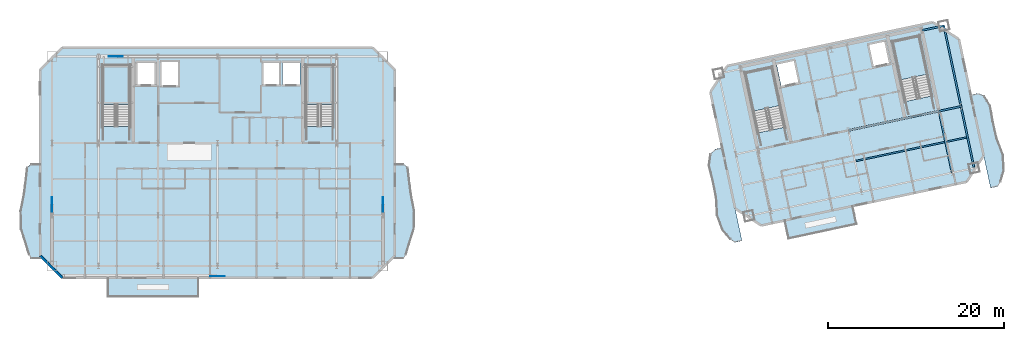
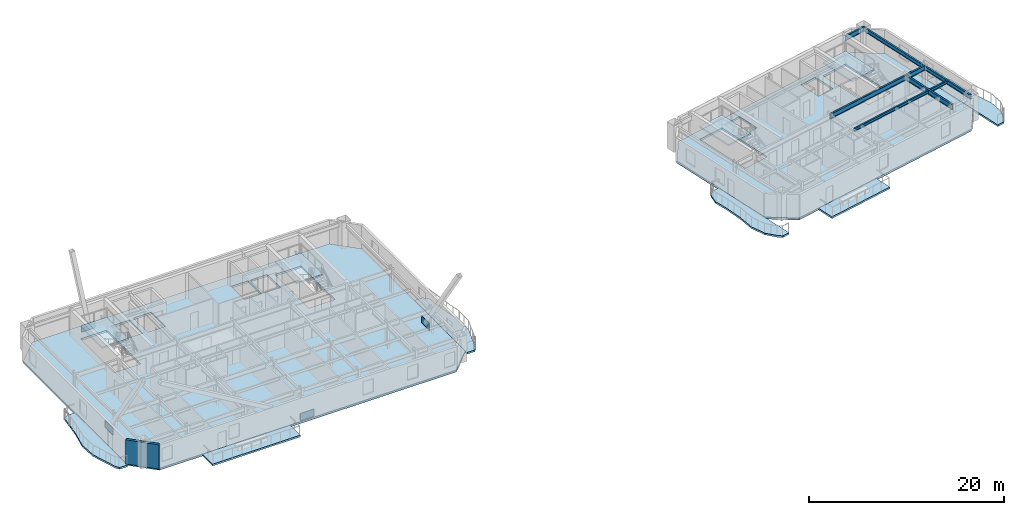
# One storey, part 4 of 14: 12 slabs, 8 beams, 4 plates, 1 wall, 4 elements without a shape of their own.
"""IFC4 building model written with IfcOpenShell, lengths in metres."""

from ifc_helpers import new_model, si_unit, direction, frame, frame_2d, origin, origin_2d, place, context, subcontext, project, spatial, polyline, rectangle, i_section, outline, extrude, material, layer, layer_set, material_profile, profile_set, type_object, element, aggregate, save


model = new_model("IFC4")

# Units and contexts
model_context = context("Model", 3, precision=1e-05, world=origin(), true_north=direction((0.0, 1.0)))
body_context = subcontext(model_context, "Body", "Model", "MODEL_VIEW")
ifc_project = project(units=[si_unit("LENGTHUNIT", "METRE"), si_unit("AREAUNIT", "SQUARE_METRE"), si_unit("VOLUMEUNIT", "CUBIC_METRE"), si_unit("PLANEANGLEUNIT", "RADIAN"), si_unit("MASSUNIT", "GRAM", prefix="KILO")], contexts=[model_context])

# Site, building, storey
site_placement = place(None, origin())
site = spatial("IfcSite", under=ifc_project, at=site_placement, CompositionType="ELEMENT")
building_placement = place(site_placement, origin())
building = spatial("IfcBuilding", under=site, at=building_placement, Name="Haevon Station Towers", CompositionType="ELEMENT")
storey_placement = place(building_placement, frame((0.0, 0.0, 228.60009765625)))
storey = spatial("IfcBuildingStorey", under=building, at=storey_placement, Name="L63", CompositionType="ELEMENT", Elevation=228.60009765625)

# Beams
ifc_material_1 = material(Name="Steel S355", Category="steel")
ifc_material_profile_1 = material_profile(ifc_material_1, i_section(OverallWidth=0.199951171875, OverallDepth=0.60009765625, WebThickness=0.010986328125, FlangeThickness=0.01708984375, at=origin_2d()), Name="H-600x200x11x17")
ifc_profile_set_1 = profile_set([ifc_material_profile_1], Name="Steel S355")
beam_type_1 = type_object("IfcBeamType", Name="BM-G600", PredefinedType="BEAM", material=ifc_profile_set_1)
beam_1_placement = place(storey_placement, frame((109.02294921875, 39.62548828125, 2.75), z_axis=(0.978146794194, 0.207915485254, 0.0), x_axis=(-0.207915485254, 0.978146794194, 0.0)))
element("IfcBeam", 1, at=beam_1_placement, inside=storey, type_object=beam_type_1, Name="BM-T2U-L63-02-03", PredefinedType="BEAM", context=body_context, shape_type="SweptSolid", body=[
    extrude(i_section(OverallWidth=0.199951171875, OverallDepth=0.60009765625, WebThickness=0.010986328125, FlangeThickness=0.01708984375, at=origin_2d()), origin(), (0.0, 0.0, 1.0), 10.5),
])
for number, where, z_axis, x_axis, name in (
    (2, (119.29345703125, 41.80859375, 2.75), (0.978161040728, 0.207848450565, 0.0), (-0.207848450565, 0.978161040728, 0.0), "BM-T2U-L63-02-04"),
    (3, (117.349365234375, 50.954345703125, 2.75), (0.978161040728, 0.207848450565, 0.0), (-0.207848450565, 0.978161040728, 0.0), "BM-T2U-L63-03-04"),
):
    element("IfcBeam", number, at=place(storey_placement, frame(where, z_axis=z_axis, x_axis=x_axis)), inside=storey, type_object=beam_type_1, Name=name, PredefinedType="BEAM", context=body_context, shape_type="SweptSolid", body=[
        extrude(i_section(OverallWidth=0.199951171875, OverallDepth=0.60009765625, WebThickness=0.010986328125, FlangeThickness=0.01708984375, at=origin_2d()), origin(), (0.0, 0.0, 1.0), 2.550048828125),
    ])
beam_2_placement = place(storey_placement, frame((120.77783203125, 34.824462890625, 2.75), z_axis=(-0.207891880081, 0.978151811426, 0.0), x_axis=(-0.978151811426, -0.207891880081, 0.0)))
element("IfcBeam", 4, at=beam_2_placement, inside=storey, type_object=beam_type_1, Name="BM-T2V-L63-04-01", PredefinedType="BEAM", context=body_context, shape_type="SweptSolid", body=[
    extrude(i_section(OverallWidth=0.199951171875, OverallDepth=0.60009765625, WebThickness=0.010986328125, FlangeThickness=0.01708984375, at=origin_2d()), origin(), (0.0, 0.0, 1.0), 7.14013671875),
])
ifc_material_profile_2 = material_profile(ifc_material_1, i_section(OverallWidth=0.175048828125, OverallDepth=0.35009765625, WebThickness=0.007080078125, FlangeThickness=0.010986328125, at=origin_2d()), Name="H-350x175x7x11")
ifc_profile_set_2 = profile_set([ifc_material_profile_2], Name="Steel S355")
beam_type_2 = type_object("IfcBeamType", Name="BM-J350", PredefinedType="JOIST", material=ifc_profile_set_2)
beam_3_placement = place(storey_placement, frame((109.872802734375, 36.15625, 2.875), z_axis=(0.97814448317, 0.207926357261, 0.0), x_axis=(-0.207926357261, 0.97814448317, 0.0)))
element("IfcBeam", 5, at=beam_3_placement, inside=storey, type_object=beam_type_2, Name="BM-T2J-L63-01-03", PredefinedType="JOIST", context=body_context, shape_type="SweptSolid", body=[
    extrude(i_section(OverallWidth=0.175048828125, OverallDepth=0.35009765625, WebThickness=0.007080078125, FlangeThickness=0.010986328125, at=origin_2d()), origin(), (0.0, 0.0, 1.0), 10.27978515625),
])
beam_4_placement = place(storey_placement, frame((120.143310546875, 38.33935546875, 2.875), z_axis=(0.978130880619, 0.207990337228, 0.0), x_axis=(-0.207990337228, 0.978130880619, 0.0)))
element("IfcBeam", 6, at=beam_4_placement, inside=storey, type_object=beam_type_2, Name="BM-T2J-L63-01-04", PredefinedType="JOIST", context=body_context, shape_type="SweptSolid", body=[
    extrude(i_section(OverallWidth=0.175048828125, OverallDepth=0.35009765625, WebThickness=0.007080078125, FlangeThickness=0.010986328125, at=origin_2d()), origin(), (0.0, 0.0, 1.0), 2.330078125),
])
ifc_material_profile_3 = material_profile(ifc_material_1, i_section(OverallWidth=0.199951171875, OverallDepth=0.5, WebThickness=0.010009765625, FlangeThickness=0.01611328125, at=origin_2d()), Name="H-500x200x10x16")
ifc_profile_set_3 = profile_set([ifc_material_profile_3], Name="Steel S355")
beam_type_3 = type_object("IfcBeamType", Name="BM-SP500", PredefinedType="SPANDREL", material=ifc_profile_set_3)
beam_5_placement = place(storey_placement, frame((123.272216796875, 35.354736328125, 2.7998046875), z_axis=(-0.207898833396, 0.978150333575, 0.0), x_axis=(-0.978150333575, -0.207898833396, 0.0)))
element("IfcBeam", 7, at=beam_5_placement, inside=storey, type_object=beam_type_3, Name="BM-T2V-L63-05-01", PredefinedType="SPANDREL", context=body_context, shape_type="SweptSolid", body=[
    extrude(i_section(OverallWidth=0.199951171875, OverallDepth=0.5, WebThickness=0.010009765625, FlangeThickness=0.01611328125, at=origin_2d()), origin(), (0.0, 0.0, 1.0), 7.139892578125),
])
beam_6_placement = place(storey_placement, frame((121.787841796875, 42.338623046875, 2.7998046875), z_axis=(-0.207922149488, 0.978145377616, 0.0), x_axis=(-0.978145377616, -0.207922149488, 0.0)))
element("IfcBeam", 8, at=beam_6_placement, inside=storey, type_object=beam_type_3, Name="BM-T2V-L63-05-02", PredefinedType="SPANDREL", context=body_context, shape_type="SweptSolid", body=[
    extrude(i_section(OverallWidth=0.199951171875, OverallDepth=0.5, WebThickness=0.010009765625, FlangeThickness=0.01611328125, at=origin_2d()), origin(), (0.0, 0.0, 1.0), 9.35009765625),
])

# Plates
ifc_material_2 = material(Name="PL-GUS1", Category="steel")
ifc_layer_1 = layer(ifc_material_2, 0.035888671875)
ifc_layer_set_1 = layer_set([ifc_layer_1], Name="PL-GUS1")
plate_type = type_object("IfcPlateType", Name="PL-GUS1", PredefinedType="USERDEFINED", material=ifc_layer_set_1)
for number, where, z_axis, x_axis, name in (
    (9, (37.5, 23.080078125, -0.235107421875), (0.0, 0.0, 1.0), (1.0, 0.0, 0.0), "PL-T1GUS-T09-S"),
    (10, (25.97509765625, 48.0, -0.235107421875), (0.0, 0.0, 1.0), (1.0, 0.0, 0.0), "PL-T1GUS-T09-N"),
    (11, (18.75, 31.22509765625, -0.235107421875), (0.0, 0.0, 1.0), (0.0, 1.0, 0.0), "PL-T1GUS-T09-W"),
    (12, (56.25, 31.22509765625, -0.235107421875), (0.0, 0.0, 1.0), (0.0, 1.0, 0.0), "PL-T1GUS-T09-E"),
):
    element("IfcPlate", number, at=place(storey_placement, frame(where, z_axis=z_axis, x_axis=x_axis)), inside=storey, type_object=plate_type, Name=name, ObjectType="GUSSET_PLATE", PredefinedType="USERDEFINED", context=body_context, shape_type="SweptSolid", body=[
        extrude(rectangle(XDim=1.60009765625, YDim=0.035888671875, at=origin_2d()), origin(), (0.0, 0.0, 1.0), 1.10009765625),
    ])

# Slabs
ifc_material_3 = material(Name="Concrete C40/50", Category="concrete")
ifc_layer_2 = layer(ifc_material_3, 0.219970703125)
ifc_layer_set_2 = layer_set([ifc_layer_2], Name="Concrete C40/50")
slab_type_1 = type_object("IfcSlabType", Name="SL-BALC220", PredefinedType="FLOOR", material=ifc_layer_set_2)
slab_1_placement = place(storey_placement, frame((0.0, 0.0, -0.22021484375)))
element("IfcSlab", 13, at=slab_1_placement, inside=storey, type_object=slab_type_1, Name="Tower 1 L63 West SCALLOPED BALCONY", PredefinedType="FLOOR", context=body_context, shape_type="SweptSolid", body=[
    extrude(outline(polyline([(17.39501953125, 35.85009765625), (16.437744140625, 35.85009765625), (15.931640625, 35.43896484375), (15.80078125, 34.268310546875), (15.559326171875, 32.5166015625), (15.115478515625, 30.449951171875), (15.21630859375, 28.383544921875), (15.80078125, 26.631591796875), (16.162109375, 25.4609375), (16.437744140625, 25.050048828125), (17.39501953125, 25.050048828125), (17.39501953125, 35.85009765625)])), origin(), (0.0, 0.0, 1.0), 0.22021484375),
])
slab_2_placement = place(storey_placement, frame((0.0, 0.0, -0.22021484375)))
element("IfcSlab", 14, at=slab_2_placement, inside=storey, type_object=slab_type_1, Name="Tower 1 L63 East SCALLOPED BALCONY", PredefinedType="FLOOR", context=body_context, shape_type="SweptSolid", body=[
    extrude(outline(polyline([(57.60498046875, 25.050048828125), (58.562255859375, 25.050048828125), (58.837890625, 25.4609375), (59.19921875, 26.631591796875), (59.78369140625, 28.383544921875), (59.884521484375, 30.449951171875), (59.440673828125, 32.5166015625), (59.19921875, 34.268310546875), (59.068359375, 35.43896484375), (58.562255859375, 35.85009765625), (57.60498046875, 35.85009765625), (57.60498046875, 25.050048828125)])), origin(), (0.0, 0.0, 1.0), 0.22021484375),
])
slab_3_placement = place(storey_placement, frame((0.0, 0.0, -0.22021484375)))
element("IfcSlab", 15, at=slab_3_placement, inside=storey, type_object=slab_type_1, Name="Tower 1 L63 Planted Balcony Band", PredefinedType="FLOOR", context=body_context, shape_type="SweptSolid", body=[
    extrude(outline(polyline([(25.0, 20.800048828125), (35.39990234375, 20.800048828125), (35.39990234375, 22.89501953125), (25.0, 22.89501953125), (25.0, 20.800048828125)])), origin(), (0.0, 0.0, 1.0), 0.22021484375),
])
slab_4_placement = place(storey_placement, frame((0.0, 0.0, -0.22021484375)))
element("IfcSlab", 16, at=slab_4_placement, inside=storey, type_object=slab_type_1, Name="Tower 2 L63 West SCALLOPED BALCONY", PredefinedType="FLOOR", context=body_context, shape_type="SweptSolid", body=[
    extrude(outline(polyline([(94.71337890625, 37.662353515625), (93.8818359375, 37.48583984375), (93.367431640625, 36.9560546875), (93.19140625, 35.721923828125), (93.61083984375, 34.02001953125), (93.95751953125, 31.981201171875), (94.134521484375, 29.90625), (94.779052734375, 28.252197265625), (95.667236328125, 27.244140625), (96.12744140625, 26.921630859375), (96.958740234375, 27.098388671875), (94.71337890625, 37.662353515625)])), origin(), (0.0, 0.0, 1.0), 0.22021484375),
])
slab_5_placement = place(storey_placement, frame((0.0, 0.0, -0.22021484375)))
element("IfcSlab", 17, at=slab_5_placement, inside=storey, type_object=slab_type_1, Name="Tower 2 L63 East SCALLOPED BALCONY", PredefinedType="FLOOR", context=body_context, shape_type="SweptSolid", body=[
    extrude(outline(polyline([(125.13916015625, 33.08837890625), (125.970703125, 33.26513671875), (126.259765625, 33.746826171875), (126.6611328125, 35.02880859375), (126.577392578125, 36.802001953125), (125.89501953125, 38.769775390625), (125.382568359375, 40.7734375), (125.073486328125, 42.498779296875), (124.41064453125, 43.554443359375), (123.72509765625, 43.8291015625), (122.893798828125, 43.65234375), (125.13916015625, 33.08837890625)])), origin(), (0.0, 0.0, 1.0), 0.22021484375),
])
slab_6_placement = place(storey_placement, frame((0.0, 0.0, -0.22021484375)))
element("IfcSlab", 18, at=slab_6_placement, inside=storey, type_object=slab_type_1, Name="Tower 2 L63 Planted Balcony Band", PredefinedType="FLOOR", context=body_context, shape_type="SweptSolid", body=[
    extrude(outline(polyline([(102.1767578125, 27.34375), (110.001953125, 29.007080078125), (109.56640625, 31.05615234375), (101.7412109375, 29.392822265625), (102.1767578125, 27.34375)])), origin(), (0.0, 0.0, 1.0), 0.22021484375),
])

# Stair, slab
stair_type = type_object("IfcStairType", Name="STR-DL1450", PredefinedType="USERDEFINED", material=ifc_material_3)
stair_1_placement = place(storey_placement, origin())
stair_1 = element("IfcStair", 19, at=stair_1_placement, inside=storey, type_object=stair_type, Name="L63 Escape Stair ST1", ObjectType="TWO_RETURN_STAIR", PredefinedType="USERDEFINED")
ifc_layer_3 = layer(ifc_material_3, 0.199951171875)
ifc_layer_set_3 = layer_set([ifc_layer_3], Name="Concrete C40/50")
slab_type_2 = type_object("IfcSlabType", Name="SL-LND200", PredefinedType="LANDING", material=ifc_layer_set_3)
slab_7_placement = place(storey_placement, frame((0.0, 0.0, 1.449951171875)))
slab_7 = element("IfcSlab", 20, at=slab_7_placement, type_object=slab_type_2, Name="L63 ST1 Half Landing 1", PredefinedType="LANDING", context=body_context, shape_type="SweptSolid", body=[
    extrude(outline(polyline([(27.580078125, 42.56396484375), (27.580078125, 47.0), (24.47998046875, 47.0), (24.47998046875, 42.56396484375), (27.580078125, 42.56396484375)])), origin(), (0.0, 0.0, 1.0), 0.199951171875),
])
aggregate(stair_1, [slab_7])

stair_2_placement = place(storey_placement, origin())
stair_2 = element("IfcStair", 21, at=stair_2_placement, inside=storey, type_object=stair_type, Name="L63 Escape Stair ST2", ObjectType="TWO_RETURN_STAIR", PredefinedType="USERDEFINED")
slab_8_placement = place(storey_placement, frame((0.0, 0.0, 1.449951171875)))
slab_8 = element("IfcSlab", 22, at=slab_8_placement, type_object=slab_type_2, Name="L63 ST2 Half Landing 1", PredefinedType="LANDING", context=body_context, shape_type="SweptSolid", body=[
    extrude(outline(polyline([(50.6201171875, 42.56396484375), (50.6201171875, 47.0), (47.52001953125, 47.0), (47.52001953125, 42.56396484375), (50.6201171875, 42.56396484375)])), origin(), (0.0, 0.0, 1.0), 0.199951171875),
])
aggregate(stair_2, [slab_8])

stair_3_placement = place(storey_placement, origin())
stair_3 = element("IfcStair", 23, at=stair_3_placement, inside=storey, type_object=stair_type, Name="L63 Escape Stair ST3", ObjectType="TWO_RETURN_STAIR", PredefinedType="USERDEFINED")
slab_9_placement = place(storey_placement, frame((0.0, 0.0, 1.449951171875)))
slab_9 = element("IfcSlab", 24, at=slab_9_placement, type_object=slab_type_2, Name="L63 ST3 Half Landing 1", PredefinedType="LANDING", context=body_context, shape_type="SweptSolid", body=[
    extrude(outline(polyline([(101.2880859375, 42.44287109375), (100.36572265625, 46.781982421875), (97.33349609375, 46.137451171875), (98.255859375, 41.79833984375), (101.2880859375, 42.44287109375)])), origin(), (0.0, 0.0, 1.0), 0.199951171875),
])
aggregate(stair_3, [slab_9])

stair_4_placement = place(storey_placement, origin())
stair_4 = element("IfcStair", 25, at=stair_4_placement, inside=storey, type_object=stair_type, Name="L63 Escape Stair ST4", ObjectType="TWO_RETURN_STAIR", PredefinedType="USERDEFINED")
slab_10_placement = place(storey_placement, frame((0.0, 0.0, 1.449951171875)))
slab_10 = element("IfcSlab", 26, at=slab_10_placement, type_object=slab_type_2, Name="L63 ST4 Half Landing 1", PredefinedType="LANDING", context=body_context, shape_type="SweptSolid", body=[
    extrude(outline(polyline([(117.975341796875, 45.989990234375), (117.052978515625, 50.328857421875), (114.020751953125, 49.684326171875), (114.943115234375, 45.345458984375), (117.975341796875, 45.989990234375)])), origin(), (0.0, 0.0, 1.0), 0.199951171875),
])
aggregate(stair_4, [slab_10])

# Slabs
ifc_layer_4 = layer(ifc_material_3, 0.25)
ifc_layer_set_4 = layer_set([ifc_layer_4], Name="Concrete C40/50")
slab_type_3 = type_object("IfcSlabType", Name="SL-TW250", PredefinedType="FLOOR", material=ifc_layer_set_4)
slab_11_placement = place(storey_placement, frame((0.0, 0.0, -0.25)))
element("IfcSlab", 27, at=slab_11_placement, inside=storey, type_object=slab_type_3, Name="SL-T1-L63", PredefinedType="FLOOR", context=body_context, shape_type="SweptSolid", body=[
    extrude(outline(polyline([(19.89990234375, 22.89990234375), (55.10009765625, 22.89990234375), (57.60009765625, 25.39990234375), (57.60009765625, 46.5), (55.10009765625, 49.0), (19.89990234375, 49.0), (17.39990234375, 46.5), (17.39990234375, 25.39990234375), (19.89990234375, 22.89990234375)]), holes=[polyline([(27.580078125, 40.055908203125), (27.580078125, 47.0), (24.47998046875, 47.0), (24.47998046875, 40.055908203125), (27.580078125, 40.055908203125)]), polyline([(50.6201171875, 40.055908203125), (50.6201171875, 47.0), (47.52001953125, 47.0), (47.52001953125, 40.055908203125), (50.6201171875, 40.055908203125)]), polyline([(28.300048828125, 44.699951171875), (30.5, 44.699951171875), (30.5, 47.39990234375), (28.300048828125, 47.39990234375), (28.300048828125, 44.699951171875)]), polyline([(31.050048828125, 44.60009765625), (33.14990234375, 44.60009765625), (33.14990234375, 47.5), (31.050048828125, 47.5), (31.050048828125, 44.60009765625)]), polyline([(42.60009765625, 44.699951171875), (44.60009765625, 44.699951171875), (44.60009765625, 47.39990234375), (42.60009765625, 47.39990234375), (42.60009765625, 44.699951171875)]), polyline([(44.85009765625, 44.699951171875), (46.85009765625, 44.699951171875), (46.85009765625, 47.39990234375), (44.85009765625, 47.39990234375), (44.85009765625, 44.699951171875)])]), origin(), (0.0, 0.0, 1.0), 0.25),
])
slab_12_placement = place(storey_placement, frame((0.0, 0.0, -0.25)))
element("IfcSlab", 28, at=slab_12_placement, inside=storey, type_object=slab_type_3, Name="SL-T2-L63", PredefinedType="FLOOR", context=body_context, shape_type="SweptSolid", body=[
    extrude(outline(polyline([(99.148193359375, 28.846923828125), (122.427978515625, 33.795166015625), (124.353515625, 36.76025390625), (121.548828125, 49.95556640625), (118.583740234375, 51.881103515625), (95.3037109375, 46.932861328125), (93.378173828125, 43.9677734375), (96.182861328125, 30.7724609375), (99.148193359375, 28.846923828125)]), holes=[polyline([(101.8095703125, 39.98974609375), (100.36572265625, 46.781982421875), (97.33349609375, 46.137451171875), (98.77734375, 39.34521484375), (101.8095703125, 39.98974609375)]), polyline([(118.496826171875, 43.53662109375), (117.052978515625, 50.328857421875), (114.020751953125, 49.684326171875), (115.464599609375, 42.89208984375), (118.496826171875, 43.53662109375)]), polyline([(101.43212890625, 44.554931640625), (103.486328125, 44.99169921875), (102.9248046875, 47.632568359375), (100.870849609375, 47.196044921875), (101.43212890625, 44.554931640625)]), polyline([(111.800537109375, 46.7587890625), (113.7568359375, 47.174560546875), (113.1953125, 49.815673828125), (111.239013671875, 49.39990234375), (111.800537109375, 46.7587890625)])]), origin(), (0.0, 0.0, 1.0), 0.25),
])

# Wall
ifc_material_4 = material(Name="Precast concrete C45/55", Category="concrete")
ifc_layer_5 = layer(ifc_material_4, 0.280029296875)
ifc_layer_set_5 = layer_set([ifc_layer_5], Name="Precast concrete C45/55")
wall_type = type_object("IfcWallType", Name="WL-EXT-PIER280", PredefinedType="SOLIDWALL", material=ifc_layer_set_5)
wall_placement = place(storey_placement, frame((19.89990234375, 22.89990234375, 0.0), z_axis=(0.0, 0.0, 1.0), x_axis=(-0.707106781187, 0.707106781187, 0.0)))
element("IfcWall", 29, at=wall_placement, inside=storey, type_object=wall_type, Name="WL-T1-L63-SWC", PredefinedType="SOLIDWALL", context=body_context, shape_type="SweptSolid", body=[
    extrude(rectangle(XDim=3.53564453125, YDim=0.280029296875, at=frame_2d((1.767822265625, 0.0))), origin(), (0.0, 0.0, 1.0), 3.02978515625),
])

save(model, "model.ifc")
